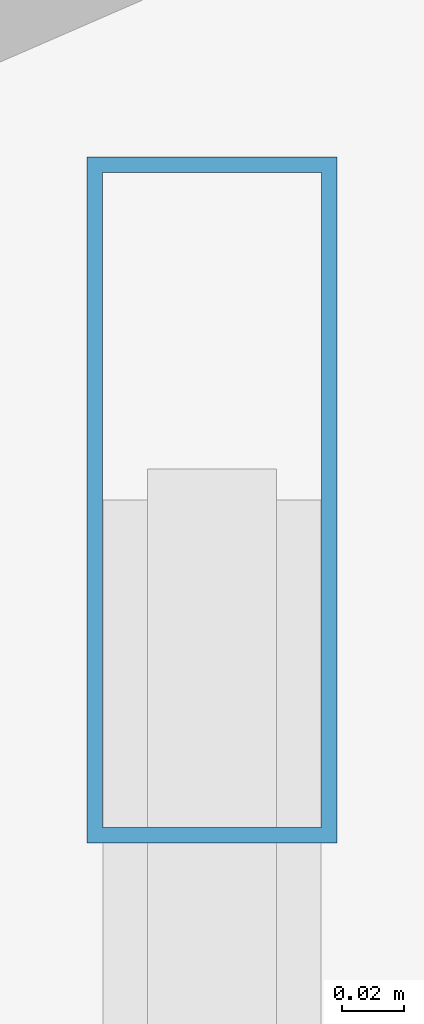
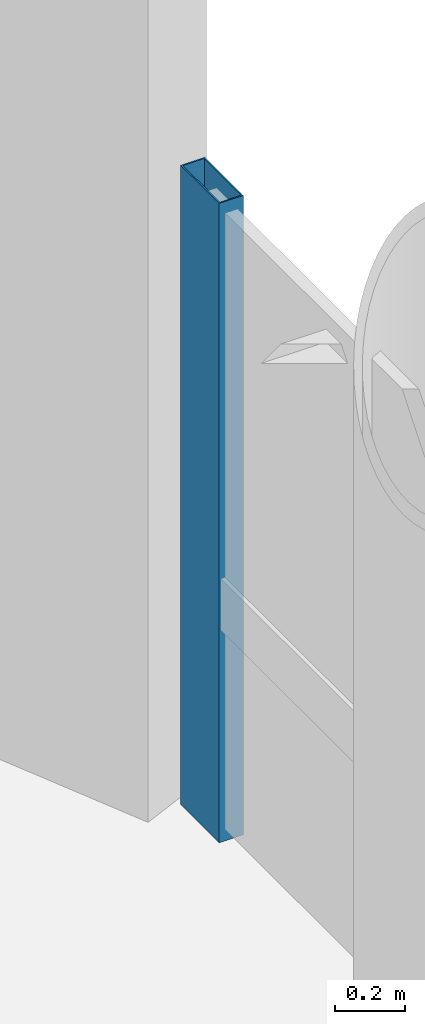
# One storey, part 19 of 27: 1 member, 1 element without a shape of its own.
"""IFC4 building model written with IfcOpenShell, lengths in metres."""

from ifc_helpers import new_model, si_unit, direction, frame, origin, origin_2d, place, context, subcontext, project, spatial, hollow_rectangle, extrude, material, layer, layer_set, material_profile, profile_set, type_object, element, aggregate, save


model = new_model("IFC4")

# Units and contexts
model_context = context("Model", 3, precision=1e-05, world=origin(), true_north=direction((0.0, 1.0)))
body_context = subcontext(model_context, "Body", "Model", "MODEL_VIEW")
ifc_project = project(units=[si_unit("LENGTHUNIT", "METRE"), si_unit("AREAUNIT", "SQUARE_METRE"), si_unit("VOLUMEUNIT", "CUBIC_METRE"), si_unit("PLANEANGLEUNIT", "RADIAN"), si_unit("MASSUNIT", "GRAM", prefix="KILO")], contexts=[model_context])

# Site, building, storey
site_placement = place(None, origin())
site = spatial("IfcSite", under=ifc_project, at=site_placement, CompositionType="ELEMENT")
building_placement = place(site_placement, origin())
building = spatial("IfcBuilding", under=site, at=building_placement, Name="Kallvorn Hotel Tower", CompositionType="ELEMENT")
storey_placement = place(building_placement, frame((0.0, 0.0, 245.39990234375)))
storey = spatial("IfcBuildingStorey", under=building, at=storey_placement, Name="L61", CompositionType="ELEMENT", Elevation=245.39990234375)

# Curtain wall, member
ifc_material_1 = material(Name="Thermally broken black-anodised aluminium AA 6063-T6", Category="aluminium")
ifc_layer = layer(ifc_material_1, 0.22998046875)
ifc_layer_set = layer_set([ifc_layer], Name="CW_SYS_5_HOTEL_HIGH")
curtain_wall_type = type_object("IfcCurtainWallType", Name="CW_SYS_5_HOTEL_HIGH", PredefinedType="USERDEFINED", material=ifc_layer_set)
curtain_wall_placement = place(storey_placement, origin())
curtain_wall = element("IfcCurtainWall", 1, at=curtain_wall_placement, inside=storey, type_object=curtain_wall_type, Name="L61 Dark-Glass Curtain Wall CW-L61-EN", ObjectType="UNITISED CURTAIN WALL", PredefinedType="USERDEFINED")
ifc_material_2 = material(Name="Thermally broken black-anodised aluminium AA 6063-T6", Category="aluminium")
ifc_material_profile = material_profile(ifc_material_2, hollow_rectangle(XDim=0.080078125, YDim=0.219970703125, WallThickness=0.0048828125, at=origin_2d()), Name="MUL 220x80")
ifc_profile_set = profile_set([ifc_material_profile], Name="Thermally broken black-anodised aluminium AA 6063-T6")
member_type = type_object("IfcMemberType", Name="CW_MULLION_220x80", PredefinedType="MULLION", material=ifc_profile_set)
member_placement = place(storey_placement, frame((33.47998046875, 20.360107421875, 0.02001953125), z_axis=(0.0, 0.0, 1.0), x_axis=(1.0, 0.0, 0.0)))
member = element("IfcMember", 2, at=member_placement, type_object=member_type, Name="CW-L61-EN Mullion 01", PredefinedType="MULLION", context=body_context, shape_type="SweptSolid", body=[
    extrude(hollow_rectangle(XDim=0.080078125, YDim=0.219970703125, WallThickness=0.0048828125, at=origin_2d()), origin(), (0.0, 0.0, 1.0), 2.22998046875),
])
aggregate(curtain_wall, [member])

save(model, "model.ifc")
